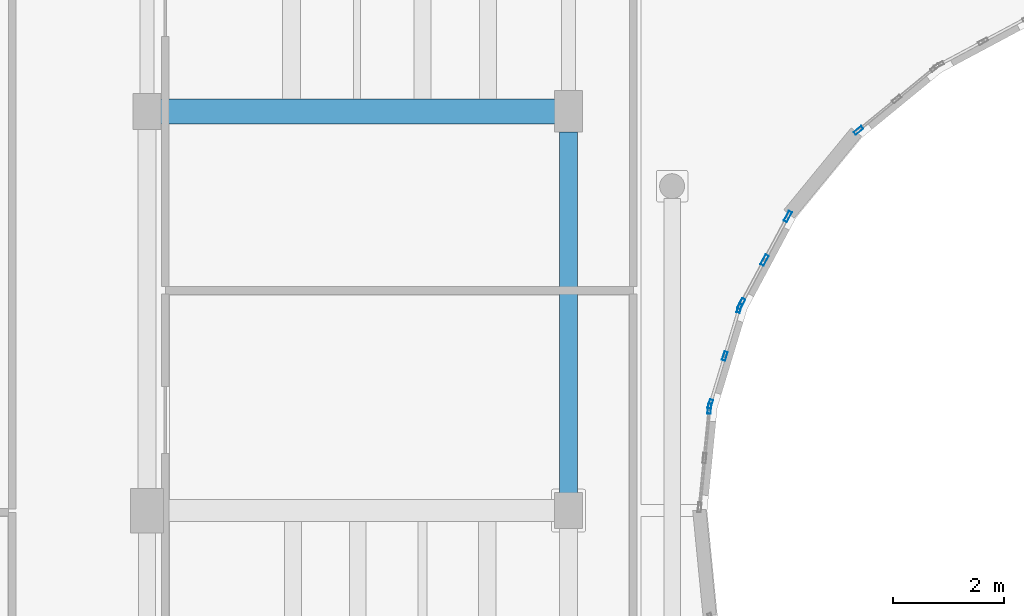
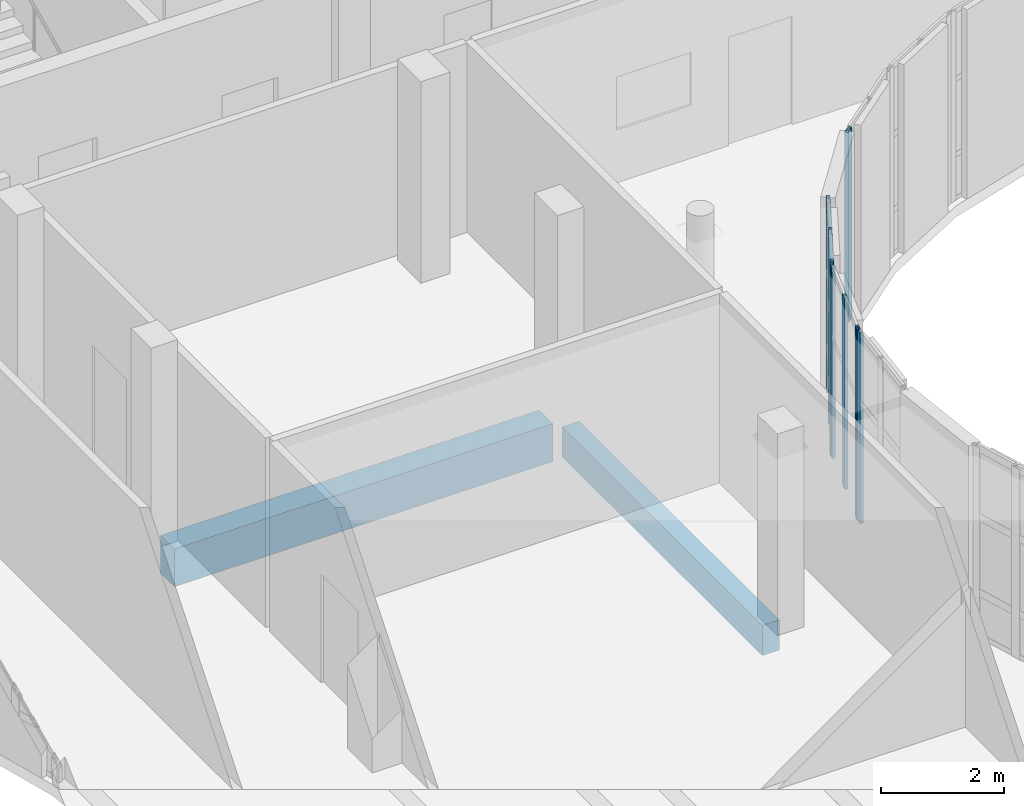
# One storey, part 36 of 89: 8 members, 2 beams, 4 elements without a shape of their own.
"""IFC4 building model written with IfcOpenShell, lengths in metres."""

from ifc_helpers import new_model, si_unit, direction, frame, origin, origin_2d, place, context, subcontext, project, spatial, rectangle, hollow_rectangle, extrude, material, layer, layer_set, material_profile, profile_set, type_object, element, aggregate, save


model = new_model("IFC4")

# Units and contexts
model_context = context("Model", 3, precision=1e-05, world=origin(), true_north=direction((0.0, 1.0)))
body_context = subcontext(model_context, "Body", "Model", "MODEL_VIEW")
ifc_project = project(units=[si_unit("LENGTHUNIT", "METRE"), si_unit("AREAUNIT", "SQUARE_METRE"), si_unit("VOLUMEUNIT", "CUBIC_METRE"), si_unit("PLANEANGLEUNIT", "RADIAN"), si_unit("MASSUNIT", "GRAM", prefix="KILO")], contexts=[model_context])

# Site, building, storey
site_placement = place(None, origin())
site = spatial("IfcSite", under=ifc_project, at=site_placement, CompositionType="ELEMENT")
building_placement = place(site_placement, origin())
building = spatial("IfcBuilding", under=site, at=building_placement, Name="Kelanivale Promenade Academy", CompositionType="ELEMENT")
storey_placement = place(building_placement, frame((0.0, 0.0, 12.199951171875)))
storey = spatial("IfcBuildingStorey", under=building, at=storey_placement, Name="L03", CompositionType="ELEMENT", Elevation=12.199951171875)

# Beam
ifc_material_1 = material(Name="Concrete C35/45", Category="concrete")
ifc_material_profile_1 = material_profile(ifc_material_1, rectangle(XDim=0.449951171875, YDim=0.75, at=origin_2d()), Name="RC-BM 450x750")
ifc_profile_set_1 = profile_set([ifc_material_profile_1], Name="Concrete C35/45")
beam_type_1 = type_object("IfcBeamType", Name="BM-04 RC-BM 450x750", PredefinedType="BEAM", material=ifc_profile_set_1)
beam_1_placement = place(storey_placement, frame((79.445068359375, 64.0, -0.594970703125), z_axis=(1.0, 0.0, 0.0), x_axis=(0.0, 1.0, 0.0)))
element("IfcBeam", 1, at=beam_1_placement, inside=storey, type_object=beam_type_1, Name="L03 girder BM-04", PredefinedType="BEAM", context=body_context, shape_type="SweptSolid", body=[
    extrude(rectangle(XDim=0.449951171875, YDim=0.75, at=origin_2d()), origin(), (0.0, 0.0, 1.0), 7.10986328125),
])

# Curtain wall, members
ifc_material_2 = material(Name="Bronze anodised aluminium and solar-control low-E glass", Category="aluminium")
ifc_layer_1 = layer(ifc_material_2, 0.159912109375)
ifc_layer_set_1 = layer_set([ifc_layer_1], Name="Bronze anodised aluminium and solar-control low-E glass")
curtain_wall_type_1 = type_object("IfcCurtainWallType", Name="CW-21 Curtain Wall 1650mm Module", PredefinedType="USERDEFINED", material=ifc_layer_set_1)
curtain_wall_1_placement = place(storey_placement, origin())
curtain_wall_1 = element("IfcCurtainWall", 2, at=curtain_wall_1_placement, inside=storey, type_object=curtain_wall_type_1, Name="L03 courtyard curtain wall CW-21", ObjectType="COURTYARD SCREEN GLAZING", PredefinedType="USERDEFINED")
ifc_material_3 = material(Name="Bronze anodised aluminium EN AW-6063 T6", Category="aluminium")
ifc_material_profile_2 = material_profile(ifc_material_3, hollow_rectangle(XDim=0.06005859375, YDim=0.159912109375, WallThickness=0.00390625, at=origin_2d()), Name="ALU 60x160x4.0")
ifc_profile_set_2 = profile_set([ifc_material_profile_2], Name="Bronze anodised aluminium EN AW-6063 T6")
member_type_1 = type_object("IfcMemberType", Name="CWM-01 ALU 60x160x4.0", PredefinedType="MULLION", material=ifc_profile_set_2)
member_1_placement = place(storey_placement, frame((89.88037109375, 60.447265625, 0.0), z_axis=(0.0, 0.0, 1.0), x_axis=(0.957024404432, -0.290007395287, 0.0)))
member_1 = element("IfcMember", 3, at=member_1_placement, type_object=member_type_1, Name="CW-21 mullion 1", PredefinedType="MULLION", context=body_context, shape_type="SweptSolid", body=[
    extrude(hollow_rectangle(XDim=0.06005859375, YDim=0.159912109375, WallThickness=0.00390625, at=origin_2d()), origin(), (0.0, 0.0, 1.0), 3.780029296875),
])
member_2_placement = place(storey_placement, frame((89.618896484375, 59.5849609375, 0.0), z_axis=(0.0, 0.0, 1.0), x_axis=(0.957024404432, -0.290007395287, 0.0)))
member_2 = element("IfcMember", 4, at=member_2_placement, type_object=member_type_1, Name="CW-21 mullion 2", PredefinedType="MULLION", context=body_context, shape_type="SweptSolid", body=[
    extrude(hollow_rectangle(XDim=0.06005859375, YDim=0.159912109375, WallThickness=0.00390625, at=origin_2d()), origin(), (0.0, 0.0, 1.0), 3.780029296875),
])
member_3_placement = place(storey_placement, frame((89.357666015625, 58.72265625, 0.0), z_axis=(0.0, 0.0, 1.0), x_axis=(0.957024404432, -0.290007395287, 0.0)))
member_3 = element("IfcMember", 5, at=member_3_placement, type_object=member_type_1, Name="CW-21 mullion 3", PredefinedType="MULLION", context=body_context, shape_type="SweptSolid", body=[
    extrude(hollow_rectangle(XDim=0.06005859375, YDim=0.159912109375, WallThickness=0.00390625, at=origin_2d()), origin(), (0.0, 0.0, 1.0), 3.780029296875),
])
aggregate(curtain_wall_1, [member_1, member_2, member_3])

# Curtain wall, member
ifc_layer_2 = layer(ifc_material_2, 0.169921875)
ifc_layer_set_2 = layer_set([ifc_layer_2], Name="Bronze anodised aluminium and solar-control low-E glass")
curtain_wall_type_2 = type_object("IfcCurtainWallType", Name="CW-22 Curtain Wall 1800mm Module", PredefinedType="USERDEFINED", material=ifc_layer_set_2)
curtain_wall_2_placement = place(storey_placement, origin())
curtain_wall_2 = element("IfcCurtainWall", 6, at=curtain_wall_2_placement, inside=storey, type_object=curtain_wall_type_2, Name="L03 courtyard curtain wall CW-22", ObjectType="COURTYARD SCREEN GLAZING", PredefinedType="USERDEFINED")
ifc_material_profile_3 = material_profile(ifc_material_3, hollow_rectangle(XDim=0.06005859375, YDim=0.179931640625, WallThickness=0.00390625, at=origin_2d()), Name="ALU 60x180x4.0")
ifc_profile_set_3 = profile_set([ifc_material_profile_3], Name="Bronze anodised aluminium EN AW-6063 T6")
member_type_2 = type_object("IfcMemberType", Name="CWM-02 ALU 60x180x4.0", PredefinedType="MULLION", material=ifc_profile_set_3)
member_4_placement = place(storey_placement, frame((89.341064453125, 58.63720703125, 0.0), z_axis=(0.0, 0.0, 1.0), x_axis=(0.99513321337, -0.098538762159, 0.0)))
member_4 = element("IfcMember", 7, at=member_4_placement, type_object=member_type_2, Name="CW-22 mullion 1", PredefinedType="MULLION", context=body_context, shape_type="SweptSolid", body=[
    extrude(hollow_rectangle(XDim=0.06005859375, YDim=0.179931640625, WallThickness=0.00390625, at=origin_2d()), origin(), (0.0, 0.0, 1.0), 3.780029296875),
])
aggregate(curtain_wall_2, [member_4])

ifc_layer_3 = layer(ifc_material_2, 0.169921875)
ifc_layer_set_3 = layer_set([ifc_layer_3], Name="Bronze anodised aluminium and solar-control low-E glass")
curtain_wall_type_3 = type_object("IfcCurtainWallType", Name="CW-19 Curtain Wall 1350mm Module", PredefinedType="USERDEFINED", material=ifc_layer_set_3)
curtain_wall_3_placement = place(storey_placement, origin())
curtain_wall_3 = element("IfcCurtainWall", 8, at=curtain_wall_3_placement, inside=storey, type_object=curtain_wall_type_3, Name="L03 courtyard curtain wall CW-19", ObjectType="COURTYARD SCREEN GLAZING", PredefinedType="USERDEFINED")
ifc_material_profile_4 = material_profile(ifc_material_3, hollow_rectangle(XDim=0.06494140625, YDim=0.175048828125, WallThickness=0.00390625, at=origin_2d()), Name="ALU 65x175x4.0")
ifc_profile_set_4 = profile_set([ifc_material_profile_4], Name="Bronze anodised aluminium EN AW-6063 T6")
member_type_3 = type_object("IfcMemberType", Name="CWM-03 ALU 65x175x4.0", PredefinedType="MULLION", material=ifc_profile_set_4)
member_5_placement = place(storey_placement, frame((92.030029296875, 63.656494140625, 0.0), z_axis=(0.0, 0.0, 1.0), x_axis=(0.634092539482, -0.773257170269, 0.0)))
member_5 = element("IfcMember", 9, at=member_5_placement, type_object=member_type_3, Name="CW-19 mullion 3", PredefinedType="MULLION", context=body_context, shape_type="SweptSolid", body=[
    extrude(hollow_rectangle(XDim=0.06494140625, YDim=0.175048828125, WallThickness=0.00390625, at=origin_2d()), origin(), (0.0, 0.0, 1.0), 3.780029296875),
])
aggregate(curtain_wall_3, [member_5])

# Curtain wall, members
ifc_layer_4 = layer(ifc_material_2, 0.179931640625)
ifc_layer_set_4 = layer_set([ifc_layer_4], Name="Bronze anodised aluminium and solar-control low-E glass")
curtain_wall_type_4 = type_object("IfcCurtainWallType", Name="CW-20 Curtain Wall 1500mm Module", PredefinedType="USERDEFINED", material=ifc_layer_set_4)
curtain_wall_4_placement = place(storey_placement, origin())
curtain_wall_4 = element("IfcCurtainWall", 10, at=curtain_wall_4_placement, inside=storey, type_object=curtain_wall_type_4, Name="L03 courtyard curtain wall CW-20", ObjectType="COURTYARD SCREEN GLAZING", PredefinedType="USERDEFINED")
ifc_material_profile_5 = material_profile(ifc_material_3, hollow_rectangle(XDim=0.06494140625, YDim=0.199951171875, WallThickness=0.00439453125, at=origin_2d()), Name="ALU 65x200x4.5")
ifc_profile_set_5 = profile_set([ifc_material_profile_5], Name="Bronze anodised aluminium EN AW-6063 T6")
member_type_4 = type_object("IfcMemberType", Name="CWM-04 ALU 65x200x4.5", PredefinedType="MULLION", material=ifc_profile_set_5)
member_6_placement = place(storey_placement, frame((90.755615234375, 62.102294921875, 0.0), z_axis=(0.0, 0.0, 1.0), x_axis=(0.881978204448, -0.471290193914, 0.0)))
member_6 = element("IfcMember", 11, at=member_6_placement, type_object=member_type_4, Name="CW-20 mullion 1", PredefinedType="MULLION", context=body_context, shape_type="SweptSolid", body=[
    extrude(hollow_rectangle(XDim=0.06494140625, YDim=0.199951171875, WallThickness=0.00439453125, at=origin_2d()), origin(), (0.0, 0.0, 1.0), 3.780029296875),
])
member_7_placement = place(storey_placement, frame((90.33544921875, 61.31591796875, 0.0), z_axis=(0.0, 0.0, 1.0), x_axis=(0.881978204448, -0.471290193914, 0.0)))
member_7 = element("IfcMember", 12, at=member_7_placement, type_object=member_type_4, Name="CW-20 mullion 2", PredefinedType="MULLION", context=body_context, shape_type="SweptSolid", body=[
    extrude(hollow_rectangle(XDim=0.06494140625, YDim=0.199951171875, WallThickness=0.00439453125, at=origin_2d()), origin(), (0.0, 0.0, 1.0), 3.780029296875),
])
member_8_placement = place(storey_placement, frame((89.915283203125, 60.52978515625, 0.0), z_axis=(0.0, 0.0, 1.0), x_axis=(0.881978204448, -0.471290193914, 0.0)))
member_8 = element("IfcMember", 13, at=member_8_placement, type_object=member_type_4, Name="CW-20 mullion 3", PredefinedType="MULLION", context=body_context, shape_type="SweptSolid", body=[
    extrude(hollow_rectangle(XDim=0.06494140625, YDim=0.199951171875, WallThickness=0.00439453125, at=origin_2d()), origin(), (0.0, 0.0, 1.0), 3.780029296875),
])
aggregate(curtain_wall_4, [member_6, member_7, member_8])

# Beam
ifc_material_profile_6 = material_profile(ifc_material_1, rectangle(XDim=0.320068359375, YDim=0.60009765625, at=origin_2d()), Name="RC-BM 320x600")
ifc_profile_set_6 = profile_set([ifc_material_profile_6], Name="Concrete C35/45")
beam_type_2 = type_object("IfcBeamType", Name="JS-05 RC-BM 320x600", PredefinedType="JOIST", material=ifc_profile_set_6)
beam_2_placement = place(storey_placement, frame((86.800048828125, 57.1201171875, -0.52001953125), z_axis=(0.0, 1.0, 0.0), x_axis=(-1.0, 0.0, 0.0)))
element("IfcBeam", 14, at=beam_2_placement, inside=storey, type_object=beam_type_2, Name="L03 beam JS-05", PredefinedType="JOIST", context=body_context, shape_type="SweptSolid", body=[
    extrude(rectangle(XDim=0.320068359375, YDim=0.60009765625, at=origin_2d()), origin(), (0.0, 0.0, 1.0), 6.509765625),
])

save(model, "model.ifc")
